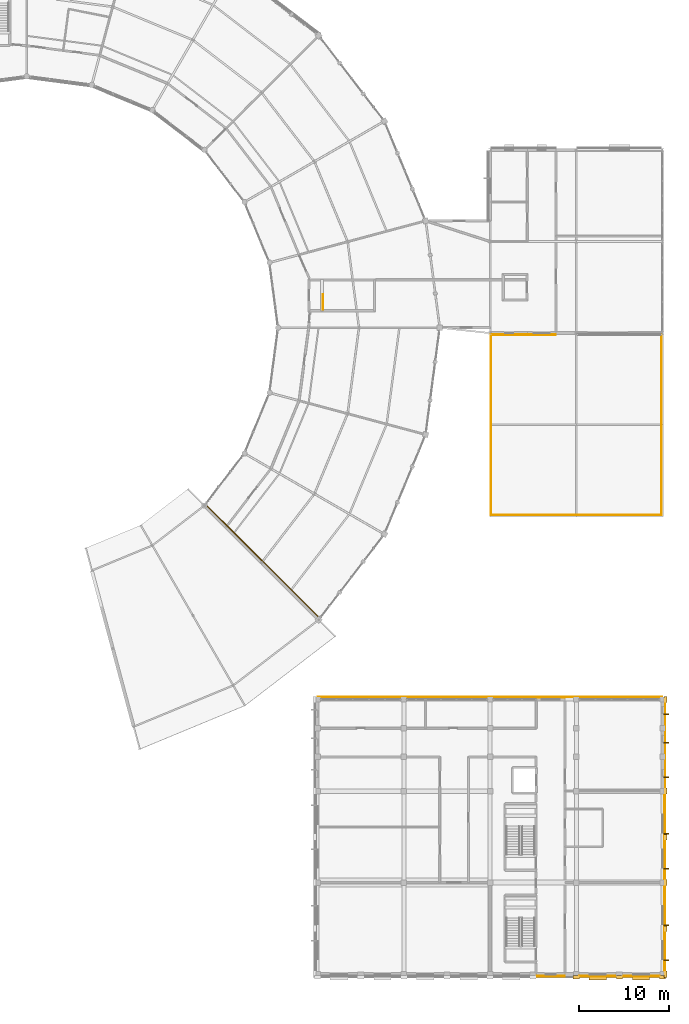
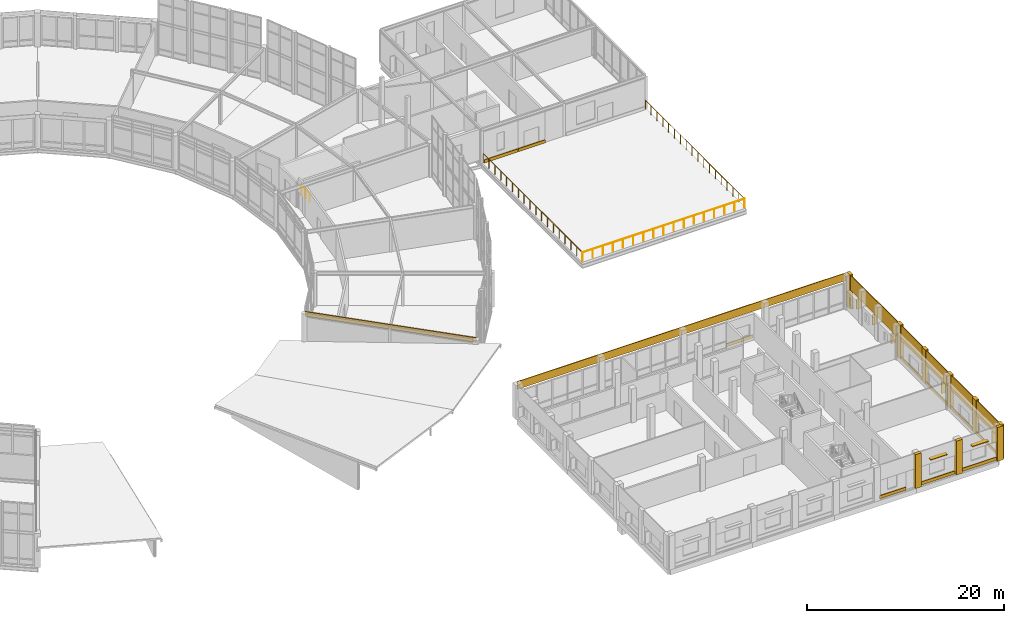
# One storey, part 184 of 185: 20 coverings, 9 shading devices, 4 railings.
"""IFC4 building model written with IfcOpenShell, lengths in metres."""

from ifc_helpers import new_model, si_unit, direction, frame, origin, origin_2d, place, context, subcontext, project, spatial, rectangle, circle, extrude, material, layer, layer_set, type_object, element, save


model = new_model("IFC4")

# Units and contexts
model_context = context("Model", 3, precision=1e-05, world=origin(), true_north=direction((0.0, 1.0)))
body_context = subcontext(model_context, "Body", "Model", "MODEL_VIEW")
ifc_project = project(units=[si_unit("LENGTHUNIT", "METRE"), si_unit("AREAUNIT", "SQUARE_METRE"), si_unit("VOLUMEUNIT", "CUBIC_METRE"), si_unit("PLANEANGLEUNIT", "RADIAN"), si_unit("MASSUNIT", "GRAM", prefix="KILO")], contexts=[model_context])

# Site, building, storey
site_placement = place(None, origin())
site = spatial("IfcSite", under=ifc_project, at=site_placement, CompositionType="ELEMENT")
building_placement = place(site_placement, origin())
building = spatial("IfcBuilding", under=site, at=building_placement, Name="Vondelvale Polytechnic", CompositionType="ELEMENT")
storey_placement = place(building_placement, frame((0.0, 0.0, 9.60009765625)))
storey = spatial("IfcBuildingStorey", under=building, at=storey_placement, Name="L02", CompositionType="ELEMENT", Elevation=9.60009765625)

# Coverings
ifc_material_1 = material(Name="Amsterdam School iron-spot clinker clay brickwork", Category="masonry")
ifc_layer_1 = layer(ifc_material_1, 0.090087890625)
ifc_layer_set_1 = layer_set([ifc_layer_1], Name="COV-BRICK-RELIEF")
covering_type = type_object("IfcCoveringType", Name="COV-BRICK-RELIEF", PredefinedType="CLADDING", material=ifc_layer_set_1)
covering_1_placement = place(storey_placement, frame((173.06494140625, 15.300048828125, 2.320068359375), z_axis=(0.0, 0.0, 1.0), x_axis=(0.0, 1.0, 0.0)))
element("IfcCovering", 1, at=covering_1_placement, inside=storey, type_object=covering_type, Name="L02 exterior masonry spandrel band", PredefinedType="CLADDING", context=body_context, shape_type="SweptSolid", body=[
    extrude(rectangle(XDim=30.60009765625, YDim=0.090087890625, at=origin_2d()), origin(), (0.0, 0.0, 1.0), 1.8798828125),
])
covering_2_placement = place(storey_placement, frame((153.60009765625, 30.864990234375, 3.25), z_axis=(0.0, 0.0, 1.0), x_axis=(1.0, 0.0, 0.0)))
element("IfcCovering", 2, at=covering_2_placement, inside=storey, type_object=covering_type, Name="L02 exterior masonry spandrel band", PredefinedType="CLADDING", context=body_context, shape_type="SweptSolid", body=[
    extrude(rectangle(XDim=38.39990234375, YDim=0.090087890625, at=origin_2d()), origin(), (0.0, 0.0, 1.0), 0.949951171875),
])
covering_3_placement = place(storey_placement, frame((160.3505859375, -0.216064453125, 0.0), z_axis=(0.0, 0.0, 1.0), x_axis=(-1.0, 0.0, 0.0)))
element("IfcCovering", 3, at=covering_3_placement, inside=storey, type_object=covering_type, Name="L02 exterior corbelled masonry relief band", PredefinedType="CLADDING", context=body_context, shape_type="SweptSolid", body=[
    extrude(rectangle(XDim=3.138916015625, YDim=0.090087890625, at=origin_2d()), origin(), (0.0, 0.0, 1.0), 0.3798828125),
])
for number, where, z_axis, x_axis, name in (
    (4, (165.574951171875, -0.216064453125, 0.0), (0.0, 0.0, 1.0), (-1.0, 0.0, 0.0), "L02 exterior corbelled masonry relief band"),
    (5, (170.425048828125, -0.216064453125, 0.0), (0.0, 0.0, 1.0), (-1.0, 0.0, 0.0), "L02 exterior corbelled masonry relief band"),
):
    element("IfcCovering", number, at=place(storey_placement, frame(where, z_axis=z_axis, x_axis=x_axis)), inside=storey, type_object=covering_type, Name=name, PredefinedType="CLADDING", context=body_context, shape_type="SweptSolid", body=[
        extrude(rectangle(XDim=4.087890625, YDim=0.090087890625, at=origin_2d()), origin(), (0.0, 0.0, 1.0), 0.3798828125),
    ])
for number, where, z_axis, x_axis, name in (
    (6, (173.01611328125, 5.10009765625, 0.0), (0.0, 0.0, 1.0), (0.0, -1.0, 0.0), "L02 exterior corbelled masonry relief band"),
    (7, (173.01611328125, 15.300048828125, 0.0), (0.0, 0.0, 1.0), (0.0, -1.0, 0.0), "L02 exterior corbelled masonry relief band"),
):
    element("IfcCovering", number, at=place(storey_placement, frame(where, z_axis=z_axis, x_axis=x_axis)), inside=storey, type_object=covering_type, Name=name, PredefinedType="CLADDING", context=body_context, shape_type="SweptSolid", body=[
        extrude(rectangle(XDim=9.5380859375, YDim=0.090087890625, at=origin_2d()), origin(), (0.0, 0.0, 1.0), 0.3798828125),
    ])
covering_4_placement = place(storey_placement, frame((160.35009765625, 30.81591796875, 0.0), z_axis=(0.0, 0.0, 1.0), x_axis=(1.0, 0.0, 0.0)))
element("IfcCovering", 8, at=covering_4_placement, inside=storey, type_object=covering_type, Name="L02 exterior corbelled masonry relief band", PredefinedType="CLADDING", context=body_context, shape_type="SweptSolid", body=[
    extrude(rectangle(XDim=3.139892578125, YDim=0.090087890625, at=origin_2d()), origin(), (0.0, 0.0, 1.0), 0.3798828125),
])
covering_5_placement = place(storey_placement, frame((128.293701171875, 45.968017578125, 3.64990234375), z_axis=(0.0, 0.0, 1.0), x_axis=(0.707106781187, -0.707106781187, 0.0)))
element("IfcCovering", 9, at=covering_5_placement, inside=storey, type_object=covering_type, Name="L02 exterior masonry spandrel band", PredefinedType="CLADDING", context=body_context, shape_type="SweptSolid", body=[
    extrude(rectangle(XDim=18.0, YDim=0.090087890625, at=origin_2d()), origin(), (0.0, 0.0, 1.0), 0.590087890625),
])
covering_6_placement = place(storey_placement, frame((155.75244140625, 71.198974609375, 0.0), z_axis=(0.0, 0.0, 1.0), x_axis=(-1.0, 0.0, 0.0)))
element("IfcCovering", 10, at=covering_6_placement, inside=storey, type_object=covering_type, Name="L02 exterior corbelled masonry relief band", PredefinedType="CLADDING", context=body_context, shape_type="SweptSolid", body=[
    extrude(rectangle(XDim=3.93505859375, YDim=0.090087890625, at=origin_2d()), origin(), (0.0, 0.0, 1.0), 0.3798828125),
])
covering_7_placement = place(storey_placement, frame((159.35009765625, 71.198974609375, 0.0), z_axis=(0.0, 0.0, 1.0), x_axis=(-1.0, 0.0, 0.0)))
element("IfcCovering", 11, at=covering_7_placement, inside=storey, type_object=covering_type, Name="L02 exterior corbelled masonry relief band", PredefinedType="CLADDING", context=body_context, shape_type="SweptSolid", body=[
    extrude(rectangle(XDim=3.139892578125, YDim=0.090087890625, at=origin_2d()), origin(), (0.0, 0.0, 1.0), 0.3798828125),
])
for number, where, z_axis, x_axis, name in (
    (12, (163.199951171875, -0.340087890625, 0.0), (0.0, 0.0, 1.0), (1.0, 0.0, 0.0), "L02 Lecture wing giant-order pilaster S"),
    (13, (168.0, -0.340087890625, 0.0), (0.0, 0.0, 1.0), (1.0, 0.0, 0.0), "L02 Lecture wing giant-order pilaster S"),
    (14, (172.800048828125, -0.340087890625, 0.0), (0.0, 0.0, 1.0), (1.0, 0.0, 0.0), "L02 Lecture wing giant-order pilaster S"),
):
    element("IfcCovering", number, at=place(storey_placement, frame(where, z_axis=z_axis, x_axis=x_axis)), inside=storey, type_object=covering_type, Name=name, PredefinedType="CLADDING", context=body_context, shape_type="SweptSolid", body=[
        extrude(rectangle(XDim=0.679931640625, YDim=0.360107421875, at=origin_2d()), origin(), (0.0, 0.0, 1.0), 4.199951171875),
    ])
for number, where, z_axis, x_axis, name in (
    (15, (173.139892578125, 0.0, 0.0), (0.0, 0.0, 1.0), (1.0, 0.0, 0.0), "L02 Lecture wing giant-order pilaster E"),
    (16, (173.139892578125, 5.10009765625, 0.0), (0.0, 0.0, 1.0), (1.0, 0.0, 0.0), "L02 Lecture wing giant-order pilaster E"),
    (17, (173.139892578125, 10.199951171875, 0.0), (0.0, 0.0, 1.0), (1.0, 0.0, 0.0), "L02 Lecture wing giant-order pilaster E"),
    (18, (173.139892578125, 15.300048828125, 0.0), (0.0, 0.0, 1.0), (1.0, 0.0, 0.0), "L02 Lecture wing giant-order pilaster E"),
    (19, (173.139892578125, 20.39990234375, 0.0), (0.0, 0.0, 1.0), (1.0, 0.0, 0.0), "L02 Lecture wing giant-order pilaster E"),
    (20, (173.139892578125, 30.60009765625, 0.0), (0.0, 0.0, 1.0), (1.0, 0.0, 0.0), "L02 Lecture wing giant-order pilaster E"),
):
    element("IfcCovering", number, at=place(storey_placement, frame(where, z_axis=z_axis, x_axis=x_axis)), inside=storey, type_object=covering_type, Name=name, PredefinedType="CLADDING", context=body_context, shape_type="SweptSolid", body=[
        extrude(rectangle(XDim=0.360107421875, YDim=0.679931640625, at=origin_2d()), origin(), (0.0, 0.0, 1.0), 4.199951171875),
    ])

# Railings
ifc_material_2 = material(Name="Brushed architectural stainless and zinc-coated metal")
ifc_layer_2 = layer(ifc_material_2, 0.050048828125)
ifc_layer_set_2 = layer_set([ifc_layer_2], Name="RL-STAIR-GUARD")
railing_type_1 = type_object("IfcRailingType", Name="RL-STAIR-GUARD", PredefinedType="GUARDRAIL", material=ifc_layer_set_2)
railing_1_placement = place(storey_placement, frame((135.0, 74.0, 0.0)))
element("IfcRailing", 21, at=railing_1_placement, inside=storey, type_object=railing_type_1, Name="L02 ST-08 top well guard 1", PredefinedType="GUARDRAIL", context=body_context, shape_type="SweptSolid", body=[
    extrude(circle(Radius=0.02392578125, at=origin_2d()), frame((0.0, 0.0, 1.076171875), z_axis=(0.0, 1.0, 0.0), x_axis=(-1.0, 0.0, 0.0)), (0.0, 0.0, 1.0), 1.699951171875),
    extrude(circle(Radius=0.02099609375, at=origin_2d()), origin(), (0.0, 0.0, 1.0), 1.052001953125),
    extrude(circle(Radius=0.02099609375, at=origin_2d()), frame((0.0, 0.85009765625, 0.0)), (0.0, 0.0, 1.0), 1.052001953125),
    extrude(circle(Radius=0.02099609375, at=origin_2d()), frame((0.0, 1.699951171875, 0.0)), (0.0, 0.0, 1.0), 1.052001953125),
])
ifc_layer_3 = layer(ifc_material_2, 0.070068359375)
ifc_layer_set_3 = layer_set([ifc_layer_3], Name="RL-TERRACE-1150")
railing_type_2 = type_object("IfcRailingType", Name="RL-TERRACE-1150", PredefinedType="BALUSTRADE", material=ifc_layer_set_3)
railing_2_placement = place(storey_placement, frame((153.719970703125, 71.25, 0.0)))
element("IfcRailing", 22, at=railing_2_placement, inside=storey, type_object=railing_type_2, Name="L02 Refectory Roof Garden guardrail", PredefinedType="BALUSTRADE", context=body_context, shape_type="SweptSolid", body=[
    extrude(circle(Radius=0.02392578125, at=origin_2d()), frame((0.0, 0.0, 1.1259765625), z_axis=(0.0, -1.0, 0.0), x_axis=(1.0, 0.0, 0.0)), (0.0, 0.0, 1.0), 20.1298828125),
    extrude(circle(Radius=0.02099609375, at=origin_2d()), origin(), (0.0, 0.0, 1.0), 1.101806640625),
    extrude(circle(Radius=0.02099609375, at=origin_2d()), frame((0.0, -1.18408203125, 0.0)), (0.0, 0.0, 1.0), 1.101806640625),
    extrude(circle(Radius=0.02099609375, at=origin_2d()), frame((0.0, -2.3681640625, 0.0)), (0.0, 0.0, 1.0), 1.101806640625),
    extrude(circle(Radius=0.02099609375, at=origin_2d()), frame((0.0, -3.55224609375, 0.0)), (0.0, 0.0, 1.0), 1.101806640625),
    extrude(circle(Radius=0.02099609375, at=origin_2d()), frame((0.0, -4.736328125, 0.0)), (0.0, 0.0, 1.0), 1.101806640625),
    extrude(circle(Radius=0.02099609375, at=origin_2d()), frame((0.0, -5.920654296875, 0.0)), (0.0, 0.0, 1.0), 1.101806640625),
    extrude(circle(Radius=0.02099609375, at=origin_2d()), frame((0.0, -7.104736328125, 0.0)), (0.0, 0.0, 1.0), 1.101806640625),
    extrude(circle(Radius=0.02099609375, at=origin_2d()), frame((0.0, -8.288818359375, 0.0)), (0.0, 0.0, 1.0), 1.101806640625),
    extrude(circle(Radius=0.02099609375, at=origin_2d()), frame((0.0, -9.472900390625, 0.0)), (0.0, 0.0, 1.0), 1.101806640625),
    extrude(circle(Radius=0.02099609375, at=origin_2d()), frame((0.0, -10.656982421875, 0.0)), (0.0, 0.0, 1.0), 1.101806640625),
    extrude(circle(Radius=0.02099609375, at=origin_2d()), frame((0.0, -11.841064453125, 0.0)), (0.0, 0.0, 1.0), 1.101806640625),
    extrude(circle(Radius=0.02099609375, at=origin_2d()), frame((0.0, -13.025146484375, 0.0)), (0.0, 0.0, 1.0), 1.101806640625),
    extrude(circle(Radius=0.02099609375, at=origin_2d()), frame((0.0, -14.209228515625, 0.0)), (0.0, 0.0, 1.0), 1.101806640625),
    extrude(circle(Radius=0.02099609375, at=origin_2d()), frame((0.0, -15.3935546875, 0.0)), (0.0, 0.0, 1.0), 1.101806640625),
    extrude(circle(Radius=0.02099609375, at=origin_2d()), frame((0.0, -16.57763671875, 0.0)), (0.0, 0.0, 1.0), 1.101806640625),
    extrude(circle(Radius=0.02099609375, at=origin_2d()), frame((0.0, -17.76171875, 0.0)), (0.0, 0.0, 1.0), 1.101806640625),
    extrude(circle(Radius=0.02099609375, at=origin_2d()), frame((0.0, -18.94580078125, 0.0)), (0.0, 0.0, 1.0), 1.101806640625),
    extrude(circle(Radius=0.02099609375, at=origin_2d()), frame((0.0, -20.1298828125, 0.0)), (0.0, 0.0, 1.0), 1.101806640625),
])
railing_3_placement = place(storey_placement, frame((153.719970703125, 51.1201171875, 0.0)))
element("IfcRailing", 23, at=railing_3_placement, inside=storey, type_object=railing_type_2, Name="L02 Refectory Roof Garden guardrail", PredefinedType="BALUSTRADE", context=body_context, shape_type="SweptSolid", body=[
    extrude(circle(Radius=0.02392578125, at=origin_2d()), frame((0.0, 0.0, 1.1259765625), z_axis=(1.0, 0.0, 0.0), x_axis=(0.0, 1.0, 0.0)), (0.0, 0.0, 1.0), 18.9599609375),
    extrude(circle(Radius=0.02099609375, at=origin_2d()), origin(), (0.0, 0.0, 1.0), 1.101806640625),
    extrude(circle(Radius=0.02099609375, at=origin_2d()), frame((1.18505859375, 0.0, 0.0)), (0.0, 0.0, 1.0), 1.101806640625),
    extrude(circle(Radius=0.02099609375, at=origin_2d()), frame((2.3701171875, 0.0, 0.0)), (0.0, 0.0, 1.0), 1.101806640625),
    extrude(circle(Radius=0.02099609375, at=origin_2d()), frame((3.554931640625, 0.0, 0.0)), (0.0, 0.0, 1.0), 1.101806640625),
    extrude(circle(Radius=0.02099609375, at=origin_2d()), frame((4.739990234375, 0.0, 0.0)), (0.0, 0.0, 1.0), 1.101806640625),
    extrude(circle(Radius=0.02099609375, at=origin_2d()), frame((5.925048828125, 0.0, 0.0)), (0.0, 0.0, 1.0), 1.101806640625),
    extrude(circle(Radius=0.02099609375, at=origin_2d()), frame((7.10986328125, 0.0, 0.0)), (0.0, 0.0, 1.0), 1.101806640625),
    extrude(circle(Radius=0.02099609375, at=origin_2d()), frame((8.294921875, 0.0, 0.0)), (0.0, 0.0, 1.0), 1.101806640625),
    extrude(circle(Radius=0.02099609375, at=origin_2d()), frame((9.47998046875, 0.0, 0.0)), (0.0, 0.0, 1.0), 1.101806640625),
    extrude(circle(Radius=0.02099609375, at=origin_2d()), frame((10.6650390625, 0.0, 0.0)), (0.0, 0.0, 1.0), 1.101806640625),
    extrude(circle(Radius=0.02099609375, at=origin_2d()), frame((11.85009765625, 0.0, 0.0)), (0.0, 0.0, 1.0), 1.101806640625),
    extrude(circle(Radius=0.02099609375, at=origin_2d()), frame((13.034912109375, 0.0, 0.0)), (0.0, 0.0, 1.0), 1.101806640625),
    extrude(circle(Radius=0.02099609375, at=origin_2d()), frame((14.219970703125, 0.0, 0.0)), (0.0, 0.0, 1.0), 1.101806640625),
    extrude(circle(Radius=0.02099609375, at=origin_2d()), frame((15.405029296875, 0.0, 0.0)), (0.0, 0.0, 1.0), 1.101806640625),
    extrude(circle(Radius=0.02099609375, at=origin_2d()), frame((16.58984375, 0.0, 0.0)), (0.0, 0.0, 1.0), 1.101806640625),
    extrude(circle(Radius=0.02099609375, at=origin_2d()), frame((17.77490234375, 0.0, 0.0)), (0.0, 0.0, 1.0), 1.101806640625),
    extrude(circle(Radius=0.02099609375, at=origin_2d()), frame((18.9599609375, 0.0, 0.0)), (0.0, 0.0, 1.0), 1.101806640625),
])
railing_4_placement = place(storey_placement, frame((172.679931640625, 51.1201171875, 0.0)))
element("IfcRailing", 24, at=railing_4_placement, inside=storey, type_object=railing_type_2, Name="L02 Refectory Roof Garden guardrail", PredefinedType="BALUSTRADE", context=body_context, shape_type="SweptSolid", body=[
    extrude(circle(Radius=0.02392578125, at=origin_2d()), frame((0.0, 0.0, 1.1259765625), z_axis=(0.0, 1.0, 0.0), x_axis=(-1.0, 0.0, 0.0)), (0.0, 0.0, 1.0), 20.1298828125),
    extrude(circle(Radius=0.02099609375, at=origin_2d()), origin(), (0.0, 0.0, 1.0), 1.101806640625),
    extrude(circle(Radius=0.02099609375, at=origin_2d()), frame((0.0, 1.18408203125, 0.0)), (0.0, 0.0, 1.0), 1.101806640625),
    extrude(circle(Radius=0.02099609375, at=origin_2d()), frame((0.0, 2.3681640625, 0.0)), (0.0, 0.0, 1.0), 1.101806640625),
    extrude(circle(Radius=0.02099609375, at=origin_2d()), frame((0.0, 3.55224609375, 0.0)), (0.0, 0.0, 1.0), 1.101806640625),
    extrude(circle(Radius=0.02099609375, at=origin_2d()), frame((0.0, 4.736328125, 0.0)), (0.0, 0.0, 1.0), 1.101806640625),
    extrude(circle(Radius=0.02099609375, at=origin_2d()), frame((0.0, 5.920654296875, 0.0)), (0.0, 0.0, 1.0), 1.101806640625),
    extrude(circle(Radius=0.02099609375, at=origin_2d()), frame((0.0, 7.104736328125, 0.0)), (0.0, 0.0, 1.0), 1.101806640625),
    extrude(circle(Radius=0.02099609375, at=origin_2d()), frame((0.0, 8.288818359375, 0.0)), (0.0, 0.0, 1.0), 1.101806640625),
    extrude(circle(Radius=0.02099609375, at=origin_2d()), frame((0.0, 9.472900390625, 0.0)), (0.0, 0.0, 1.0), 1.101806640625),
    extrude(circle(Radius=0.02099609375, at=origin_2d()), frame((0.0, 10.656982421875, 0.0)), (0.0, 0.0, 1.0), 1.101806640625),
    extrude(circle(Radius=0.02099609375, at=origin_2d()), frame((0.0, 11.841064453125, 0.0)), (0.0, 0.0, 1.0), 1.101806640625),
    extrude(circle(Radius=0.02099609375, at=origin_2d()), frame((0.0, 13.025146484375, 0.0)), (0.0, 0.0, 1.0), 1.101806640625),
    extrude(circle(Radius=0.02099609375, at=origin_2d()), frame((0.0, 14.209228515625, 0.0)), (0.0, 0.0, 1.0), 1.101806640625),
    extrude(circle(Radius=0.02099609375, at=origin_2d()), frame((0.0, 15.3935546875, 0.0)), (0.0, 0.0, 1.0), 1.101806640625),
    extrude(circle(Radius=0.02099609375, at=origin_2d()), frame((0.0, 16.57763671875, 0.0)), (0.0, 0.0, 1.0), 1.101806640625),
    extrude(circle(Radius=0.02099609375, at=origin_2d()), frame((0.0, 17.76171875, 0.0)), (0.0, 0.0, 1.0), 1.101806640625),
    extrude(circle(Radius=0.02099609375, at=origin_2d()), frame((0.0, 18.94580078125, 0.0)), (0.0, 0.0, 1.0), 1.101806640625),
    extrude(circle(Radius=0.02099609375, at=origin_2d()), frame((0.0, 20.1298828125, 0.0)), (0.0, 0.0, 1.0), 1.101806640625),
])

# Shading devices
ifc_material_3 = material(Name="Anodised extruded aluminium 6063-T6", Category="aluminium")
shading_device_type_1 = type_object("IfcShadingDeviceType", Name="SHD-BRONZE-LOUVRE", PredefinedType="SHUTTER", material=ifc_material_3)
shading_device_1_placement = place(storey_placement, frame((165.574951171875, -0.39990234375, 2.95751953125), z_axis=(0.0, 0.0, 1.0), x_axis=(-1.0, 0.0, 0.0)))
element("IfcShadingDevice", 25, at=shading_device_1_placement, inside=storey, type_object=shading_device_type_1, Name="L02 horizontal bronze sun-louvre overhang", PredefinedType="SHUTTER", context=body_context, shape_type="SweptSolid", body=[
    extrude(rectangle(XDim=1.9599609375, YDim=0.47998046875, at=origin_2d()), origin(), (0.0, 0.0, 1.0), 0.0849609375),
])
shading_device_2_placement = place(storey_placement, frame((170.425048828125, -0.39990234375, 2.907470703125), z_axis=(0.0, 0.0, 1.0), x_axis=(-1.0, 0.0, 0.0)))
element("IfcShadingDevice", 26, at=shading_device_2_placement, inside=storey, type_object=shading_device_type_1, Name="L02 horizontal bronze sun-louvre overhang", PredefinedType="SHUTTER", context=body_context, shape_type="SweptSolid", body=[
    extrude(rectangle(XDim=1.909912109375, YDim=0.47998046875, at=origin_2d()), origin(), (0.0, 0.0, 1.0), 0.0849609375),
])
ifc_material_4 = material(Name="Kiln-fired architectural terracotta", Category="masonry")
shading_device_type_2 = type_object("IfcShadingDeviceType", Name="SHD-TERRA-FIN-550", PredefinedType="JALOUSIE", material=ifc_material_4)
for number, where, z_axis, x_axis, name in (
    (27, (173.235107421875, 1.56103515625, 0.7900390625), (0.0, 0.0, 1.0), (0.0, -1.0, 0.0), "L02 vertical terracotta solar fin"),
    (28, (173.235107421875, 5.4609375, 0.7900390625), (0.0, 0.0, 1.0), (0.0, -1.0, 0.0), "L02 vertical terracotta solar fin"),
    (29, (173.235107421875, 11.760986328125, 0.7900390625), (0.0, 0.0, 1.0), (0.0, -1.0, 0.0), "L02 vertical terracotta solar fin"),
    (30, (173.235107421875, 15.660888671875, 0.7900390625), (0.0, 0.0, 1.0), (0.0, -1.0, 0.0), "L02 vertical terracotta solar fin"),
):
    element("IfcShadingDevice", number, at=place(storey_placement, frame(where, z_axis=z_axis, x_axis=x_axis)), inside=storey, type_object=shading_device_type_2, Name=name, PredefinedType="JALOUSIE", context=body_context, shape_type="SweptSolid", body=[
        extrude(rectangle(XDim=0.110107421875, YDim=0.550048828125, at=origin_2d()), origin(), (0.0, 0.0, 1.0), 1.469970703125),
    ])
for number, where, z_axis, x_axis, name in (
    (31, (173.235107421875, 28.9609375, 0.7900390625), (0.0, 0.0, 1.0), (0.0, -1.0, 0.0), "L02 vertical terracotta solar fin"),
    (32, (173.235107421875, 25.760986328125, 0.7900390625), (0.0, 0.0, 1.0), (0.0, -1.0, 0.0), "L02 vertical terracotta solar fin"),
    (33, (173.235107421875, 21.9609375, 0.7900390625), (0.0, 0.0, 1.0), (0.0, -1.0, 0.0), "L02 vertical terracotta solar fin"),
):
    element("IfcShadingDevice", number, at=place(storey_placement, frame(where, z_axis=z_axis, x_axis=x_axis)), inside=storey, type_object=shading_device_type_2, Name=name, PredefinedType="JALOUSIE", context=body_context, shape_type="SweptSolid", body=[
        extrude(rectangle(XDim=0.110107421875, YDim=0.550048828125, at=origin_2d()), origin(), (0.0, 0.0, 1.0), 1.219970703125),
    ])

save(model, "model.ifc")
